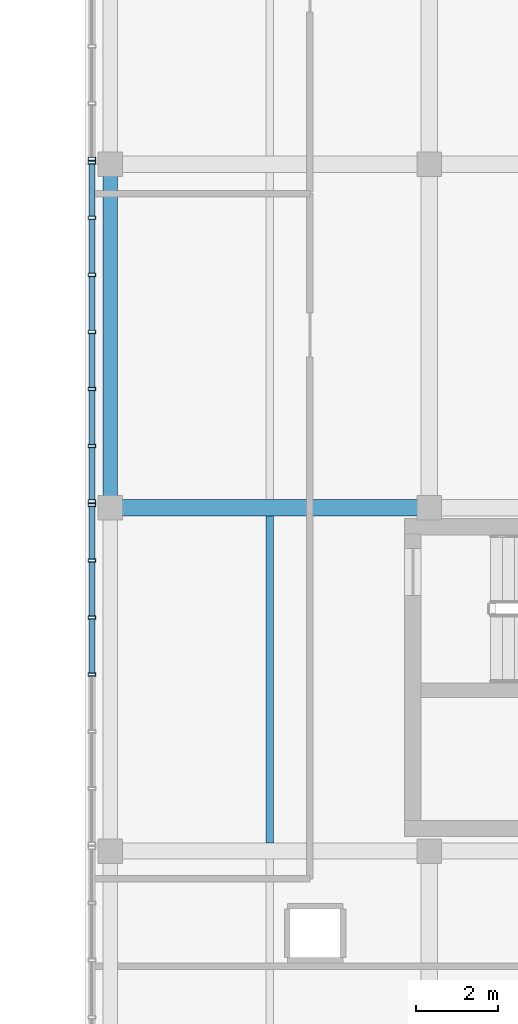
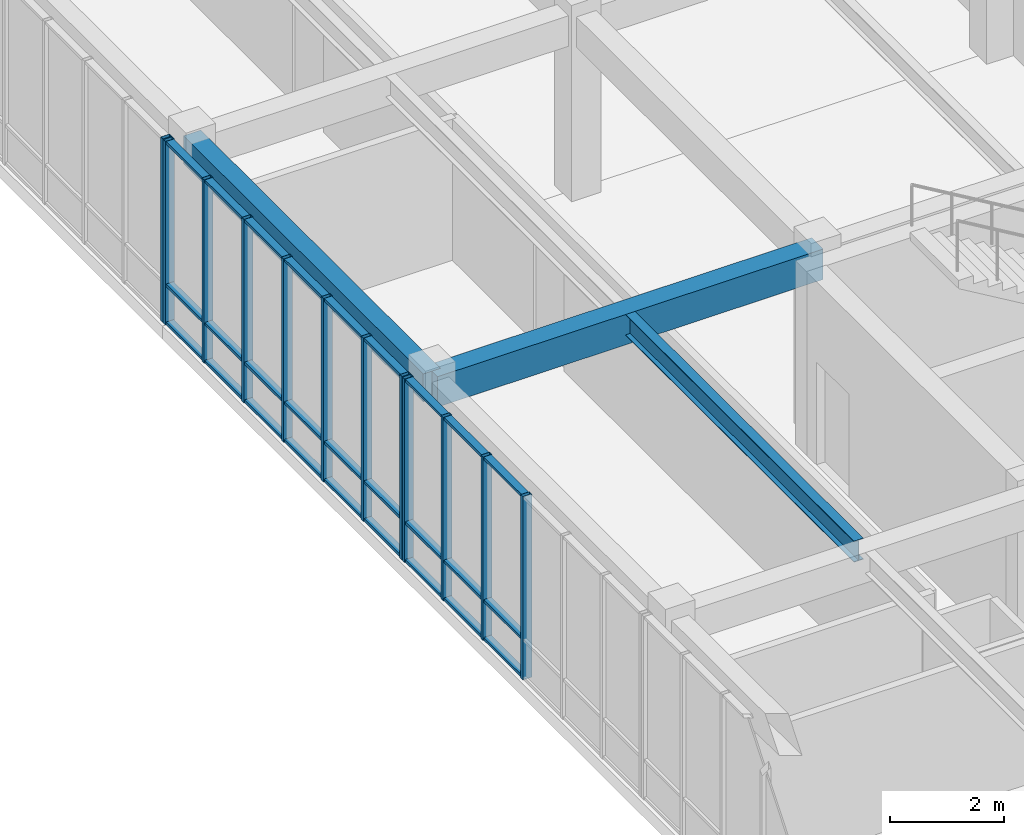
# One storey, part 29 of 123: 39 members, 3 beams, 3 elements without a shape of their own.
"""IFC4 building model written with IfcOpenShell, lengths in metres."""

from ifc_helpers import new_model, si_unit, direction, frame, origin, origin_2d, place, context, subcontext, project, spatial, rectangle, hollow_rectangle, i_section, extrude, material, layer, layer_set, material_profile, profile_set, type_object, element, aggregate, save


model = new_model("IFC4")

# Units and contexts
model_context = context("Model", 3, precision=1e-05, world=origin(), true_north=direction((0.0, 1.0)))
body_context = subcontext(model_context, "Body", "Model", "MODEL_VIEW")
ifc_project = project(units=[si_unit("LENGTHUNIT", "METRE"), si_unit("AREAUNIT", "SQUARE_METRE"), si_unit("VOLUMEUNIT", "CUBIC_METRE"), si_unit("PLANEANGLEUNIT", "RADIAN"), si_unit("MASSUNIT", "GRAM", prefix="KILO")], contexts=[model_context])

# Site, building, storey
site_placement = place(None, origin())
site = spatial("IfcSite", under=ifc_project, at=site_placement, CompositionType="ELEMENT")
building_placement = place(site_placement, origin())
building = spatial("IfcBuilding", under=site, at=building_placement, Name="Zayran Congress Hotel", CompositionType="ELEMENT")
storey_placement = place(building_placement, frame((0.0, 0.0, 15.0)))
storey = spatial("IfcBuildingStorey", under=building, at=storey_placement, Name="L03", CompositionType="ELEMENT", Elevation=15.0)

# Beams
ifc_material_1 = material(Name="Concrete C40/50", Category="concrete")
ifc_material_profile_1 = material_profile(ifc_material_1, rectangle(XDim=0.39990234375, YDim=0.64990234375, at=origin_2d()), Name="RC 400x650")
ifc_profile_set_1 = profile_set([ifc_material_profile_1], Name="Concrete C40/50")
beam_type_1 = type_object("IfcBeamType", Name="TP-BM-03", PredefinedType="BEAM", material=ifc_profile_set_1)
beam_1_placement = place(storey_placement, frame((109.800048828125, 59.199951171875, 3.594970703125), z_axis=(1.0, 0.0, 0.0), x_axis=(0.0, 1.0, 0.0)))
element("IfcBeam", 1, at=beam_1_placement, inside=storey, type_object=beam_type_1, Name="BM-V4-L03-1497", PredefinedType="BEAM", context=body_context, shape_type="SweptSolid", body=[
    extrude(rectangle(XDim=0.39990234375, YDim=0.64990234375, at=origin_2d()), origin(), (0.0, 0.0, 1.0), 7.800048828125),
])
ifc_material_profile_2 = material_profile(ifc_material_1, rectangle(XDim=0.35009765625, YDim=0.60009765625, at=origin_2d()), Name="RC 350x600")
ifc_profile_set_2 = profile_set([ifc_material_profile_2], Name="Concrete C40/50")
beam_type_2 = type_object("IfcBeamType", Name="TP-SP-01", PredefinedType="SPANDREL", material=ifc_profile_set_2)
beam_2_placement = place(storey_placement, frame((109.800048828125, 59.199951171875, 3.6201171875), z_axis=(0.0, 1.0, 0.0), x_axis=(-1.0, 0.0, 0.0)))
element("IfcBeam", 2, at=beam_2_placement, inside=storey, type_object=beam_type_2, Name="BM-V4-L03-1517", PredefinedType="SPANDREL", context=body_context, shape_type="SweptSolid", body=[
    extrude(rectangle(XDim=0.35009765625, YDim=0.60009765625, at=origin_2d()), origin(), (0.0, 0.0, 1.0), 8.400146484375),
])
ifc_material_2 = material(Name="Steel S355", Category="steel")
ifc_material_profile_3 = material_profile(ifc_material_2, i_section(OverallWidth=0.18994140625, OverallDepth=0.449951171875, WebThickness=0.009521484375, FlangeThickness=0.0146484375, at=origin_2d()), Name="IPE 450")
ifc_profile_set_3 = profile_set([ifc_material_profile_3], Name="Steel S355")
beam_type_3 = type_object("IfcBeamType", Name="TP-JS-02", PredefinedType="JOIST", material=ifc_profile_set_3)
beam_3_placement = place(storey_placement, frame((113.699951171875, 51.0, 3.695068359375), z_axis=(0.0, 1.0, 0.0), x_axis=(-1.0, 0.0, 0.0)))
element("IfcBeam", 3, at=beam_3_placement, inside=storey, type_object=beam_type_3, Name="JST-V4-L03-1542", PredefinedType="JOIST", context=body_context, shape_type="SweptSolid", body=[
    extrude(i_section(OverallWidth=0.18994140625, OverallDepth=0.449951171875, WebThickness=0.009521484375, FlangeThickness=0.0146484375, at=origin_2d()), origin(), (0.0, 0.0, 1.0), 8.0),
])

# Curtain wall, members
ifc_material_3 = material(Name="Anodised aluminium and low-E insulated glass", Category="aluminium")
ifc_layer_1 = layer(ifc_material_3, 0.179931640625)
ifc_layer_set_1 = layer_set([ifc_layer_1], Name="Anodised aluminium and low-E insulated glass")
curtain_wall_type_1 = type_object("IfcCurtainWallType", Name="CW-V4W-L03-CW-52-8368-3920", PredefinedType="USERDEFINED", material=ifc_layer_set_1)
curtain_wall_1_placement = place(storey_placement, origin())
curtain_wall_1 = element("IfcCurtainWall", 4, at=curtain_wall_1_placement, inside=storey, type_object=curtain_wall_type_1, Name="CW-V4W-L03-1", ObjectType="CURTAIN WALL", PredefinedType="USERDEFINED")
ifc_material_4 = material(Name="Anodised aluminium framing", Category="aluminium")
ifc_material_profile_4 = material_profile(ifc_material_4, hollow_rectangle(XDim=0.080078125, YDim=0.179931640625, WallThickness=0.0048828125, at=origin_2d()), Name="RHS 180x80x5")
ifc_profile_set_4 = profile_set([ifc_material_profile_4], Name="Anodised aluminium framing")
member_type_1 = type_object("IfcMemberType", Name="TP-CWM-01", PredefinedType="MULLION", material=ifc_profile_set_4)
member_1_placement = place(storey_placement, frame((109.35009765625, 59.261962890625, 0.0), z_axis=(0.0, 0.0, 1.0), x_axis=(0.0, 1.0, 0.0)))
member_1 = element("IfcMember", 5, at=member_1_placement, type_object=member_type_1, Name="CW-V4W-L03-1-M00", PredefinedType="MULLION", context=body_context, shape_type="SweptSolid", body=[
    extrude(hollow_rectangle(XDim=0.080078125, YDim=0.179931640625, WallThickness=0.0048828125, at=origin_2d()), origin(), (0.0, 0.0, 1.0), 3.919921875),
])
member_2_placement = place(storey_placement, frame((109.35009765625, 57.9072265625, 0.0), z_axis=(0.0, 0.0, 1.0), x_axis=(0.0, 1.0, 0.0)))
member_2 = element("IfcMember", 6, at=member_2_placement, type_object=member_type_1, Name="CW-V4W-L03-1-M01", PredefinedType="MULLION", context=body_context, shape_type="SweptSolid", body=[
    extrude(hollow_rectangle(XDim=0.080078125, YDim=0.179931640625, WallThickness=0.0048828125, at=origin_2d()), origin(), (0.0, 0.0, 1.0), 3.919921875),
])
member_3_placement = place(storey_placement, frame((109.35009765625, 56.5126953125, 0.0), z_axis=(0.0, 0.0, 1.0), x_axis=(0.0, 1.0, 0.0)))
member_3 = element("IfcMember", 7, at=member_3_placement, type_object=member_type_1, Name="CW-V4W-L03-1-M02", PredefinedType="MULLION", context=body_context, shape_type="SweptSolid", body=[
    extrude(hollow_rectangle(XDim=0.080078125, YDim=0.179931640625, WallThickness=0.0048828125, at=origin_2d()), origin(), (0.0, 0.0, 1.0), 3.919921875),
])
member_4_placement = place(storey_placement, frame((109.35009765625, 55.117919921875, 0.0), z_axis=(0.0, 0.0, 1.0), x_axis=(0.0, 1.0, 0.0)))
member_4 = element("IfcMember", 8, at=member_4_placement, type_object=member_type_1, Name="CW-V4W-L03-1-M03", PredefinedType="MULLION", context=body_context, shape_type="SweptSolid", body=[
    extrude(hollow_rectangle(XDim=0.080078125, YDim=0.179931640625, WallThickness=0.0048828125, at=origin_2d()), origin(), (0.0, 0.0, 1.0), 3.919921875),
])

ifc_layer_2 = layer(ifc_material_3, 0.179931640625)
ifc_layer_set_2 = layer_set([ifc_layer_2], Name="Anodised aluminium and low-E insulated glass")
curtain_wall_type_2 = type_object("IfcCurtainWallType", Name="CW-V4W-L03-CW-53-8369-3920", PredefinedType="USERDEFINED", material=ifc_layer_set_2)
curtain_wall_2_placement = place(storey_placement, origin())
curtain_wall_2 = element("IfcCurtainWall", 9, at=curtain_wall_2_placement, inside=storey, type_object=curtain_wall_type_2, Name="CW-V4W-L03-2", ObjectType="CURTAIN WALL", PredefinedType="USERDEFINED")
member_5_placement = place(storey_placement, frame((109.35009765625, 67.64111328125, 0.0), z_axis=(0.0, 0.0, 1.0), x_axis=(0.0, 1.0, 0.0)))
member_5 = element("IfcMember", 10, at=member_5_placement, type_object=member_type_1, Name="CW-V4W-L03-2-M00", PredefinedType="MULLION", context=body_context, shape_type="SweptSolid", body=[
    extrude(hollow_rectangle(XDim=0.080078125, YDim=0.179931640625, WallThickness=0.0048828125, at=origin_2d()), origin(), (0.0, 0.0, 1.0), 3.919921875),
])
member_6_placement = place(storey_placement, frame((109.35009765625, 66.2861328125, 0.0), z_axis=(0.0, 0.0, 1.0), x_axis=(0.0, 1.0, 0.0)))
member_6 = element("IfcMember", 11, at=member_6_placement, type_object=member_type_1, Name="CW-V4W-L03-2-M01", PredefinedType="MULLION", context=body_context, shape_type="SweptSolid", body=[
    extrude(hollow_rectangle(XDim=0.080078125, YDim=0.179931640625, WallThickness=0.0048828125, at=origin_2d()), origin(), (0.0, 0.0, 1.0), 3.919921875),
])
member_7_placement = place(storey_placement, frame((109.35009765625, 64.891357421875, 0.0), z_axis=(0.0, 0.0, 1.0), x_axis=(0.0, 1.0, 0.0)))
member_7 = element("IfcMember", 12, at=member_7_placement, type_object=member_type_1, Name="CW-V4W-L03-2-M02", PredefinedType="MULLION", context=body_context, shape_type="SweptSolid", body=[
    extrude(hollow_rectangle(XDim=0.080078125, YDim=0.179931640625, WallThickness=0.0048828125, at=origin_2d()), origin(), (0.0, 0.0, 1.0), 3.919921875),
])
member_8_placement = place(storey_placement, frame((109.35009765625, 63.49658203125, 0.0), z_axis=(0.0, 0.0, 1.0), x_axis=(0.0, 1.0, 0.0)))
member_8 = element("IfcMember", 13, at=member_8_placement, type_object=member_type_1, Name="CW-V4W-L03-2-M03", PredefinedType="MULLION", context=body_context, shape_type="SweptSolid", body=[
    extrude(hollow_rectangle(XDim=0.080078125, YDim=0.179931640625, WallThickness=0.0048828125, at=origin_2d()), origin(), (0.0, 0.0, 1.0), 3.919921875),
])
member_9_placement = place(storey_placement, frame((109.35009765625, 62.101806640625, 0.0), z_axis=(0.0, 0.0, 1.0), x_axis=(0.0, 1.0, 0.0)))
member_9 = element("IfcMember", 14, at=member_9_placement, type_object=member_type_1, Name="CW-V4W-L03-2-M04", PredefinedType="MULLION", context=body_context, shape_type="SweptSolid", body=[
    extrude(hollow_rectangle(XDim=0.080078125, YDim=0.179931640625, WallThickness=0.0048828125, at=origin_2d()), origin(), (0.0, 0.0, 1.0), 3.919921875),
])
member_10_placement = place(storey_placement, frame((109.35009765625, 60.706787109375, 0.0), z_axis=(0.0, 0.0, 1.0), x_axis=(0.0, 1.0, 0.0)))
member_10 = element("IfcMember", 15, at=member_10_placement, type_object=member_type_1, Name="CW-V4W-L03-2-M05", PredefinedType="MULLION", context=body_context, shape_type="SweptSolid", body=[
    extrude(hollow_rectangle(XDim=0.080078125, YDim=0.179931640625, WallThickness=0.0048828125, at=origin_2d()), origin(), (0.0, 0.0, 1.0), 3.919921875),
])
member_11_placement = place(storey_placement, frame((109.35009765625, 59.35205078125, 0.0), z_axis=(0.0, 0.0, 1.0), x_axis=(0.0, 1.0, 0.0)))
member_11 = element("IfcMember", 16, at=member_11_placement, type_object=member_type_1, Name="CW-V4W-L03-2-M06", PredefinedType="MULLION", context=body_context, shape_type="SweptSolid", body=[
    extrude(hollow_rectangle(XDim=0.080078125, YDim=0.179931640625, WallThickness=0.0048828125, at=origin_2d()), origin(), (0.0, 0.0, 1.0), 3.919921875),
])

# Curtain wall, member
ifc_layer_3 = layer(ifc_material_3, 0.179931640625)
ifc_layer_set_3 = layer_set([ifc_layer_3], Name="Anodised aluminium and low-E insulated glass")
curtain_wall_type_3 = type_object("IfcCurtainWallType", Name="CW-V4W-L03-CW-51-8368-3920", PredefinedType="USERDEFINED", material=ifc_layer_set_3)
curtain_wall_3_placement = place(storey_placement, origin())
curtain_wall_3 = element("IfcCurtainWall", 17, at=curtain_wall_3_placement, inside=storey, type_object=curtain_wall_type_3, Name="CW-V4W-L03-3", ObjectType="CURTAIN WALL", PredefinedType="USERDEFINED")
member_12_placement = place(storey_placement, frame((109.35009765625, 67.73095703125, 0.0), z_axis=(0.0, 0.0, 1.0), x_axis=(0.0, 1.0, 0.0)))
member_12 = element("IfcMember", 18, at=member_12_placement, type_object=member_type_1, Name="CW-V4W-L03-3-M06", PredefinedType="MULLION", context=body_context, shape_type="SweptSolid", body=[
    extrude(hollow_rectangle(XDim=0.080078125, YDim=0.179931640625, WallThickness=0.0048828125, at=origin_2d()), origin(), (0.0, 0.0, 1.0), 3.919921875),
])
aggregate(curtain_wall_3, [member_12])

# Member
ifc_material_profile_5 = material_profile(ifc_material_4, hollow_rectangle(XDim=0.06005859375, YDim=0.14990234375, WallThickness=0.00390625, at=origin_2d()), Name="RHS 150x60x4")
ifc_profile_set_5 = profile_set([ifc_material_profile_5], Name="Anodised aluminium framing")
member_type_2 = type_object("IfcMemberType", Name="TP-CWT-01", PredefinedType="USERDEFINED", material=ifc_profile_set_5)
member_13_placement = place(storey_placement, frame((109.35009765625, 59.221923828125, 0.030029296875), z_axis=(0.0, -1.0, 0.0), x_axis=(0.0, 0.0, 1.0)))
member_13 = element("IfcMember", 19, at=member_13_placement, type_object=member_type_2, Name="CW-V4W-L03-1-T00-0", ObjectType="TRANSOM", PredefinedType="USERDEFINED", context=body_context, shape_type="SweptSolid", body=[
    extrude(hollow_rectangle(XDim=0.06005859375, YDim=0.14990234375, WallThickness=0.00390625, at=origin_2d()), origin(), (0.0, 0.0, 1.0), 1.274658203125),
])

member_14_placement = place(storey_placement, frame((109.35009765625, 59.221923828125, 0.840087890625), z_axis=(0.0, -1.0, 0.0), x_axis=(0.0, 0.0, 1.0)))
member_14 = element("IfcMember", 20, at=member_14_placement, type_object=member_type_2, Name="CW-V4W-L03-1-T00-1", ObjectType="TRANSOM", PredefinedType="USERDEFINED", context=body_context, shape_type="SweptSolid", body=[
    extrude(hollow_rectangle(XDim=0.06005859375, YDim=0.14990234375, WallThickness=0.00390625, at=origin_2d()), origin(), (0.0, 0.0, 1.0), 1.274658203125),
])

member_15_placement = place(storey_placement, frame((109.35009765625, 59.221923828125, 3.889892578125), z_axis=(0.0, -1.0, 0.0), x_axis=(0.0, 0.0, 1.0)))
member_15 = element("IfcMember", 21, at=member_15_placement, type_object=member_type_2, Name="CW-V4W-L03-1-T00-2", ObjectType="TRANSOM", PredefinedType="USERDEFINED", context=body_context, shape_type="SweptSolid", body=[
    extrude(hollow_rectangle(XDim=0.06005859375, YDim=0.14990234375, WallThickness=0.00390625, at=origin_2d()), origin(), (0.0, 0.0, 1.0), 1.274658203125),
])

member_16_placement = place(storey_placement, frame((109.35009765625, 57.8671875, 0.030029296875), z_axis=(0.0, -1.0, 0.0), x_axis=(0.0, 0.0, 1.0)))
member_16 = element("IfcMember", 22, at=member_16_placement, type_object=member_type_2, Name="CW-V4W-L03-1-T01-0", ObjectType="TRANSOM", PredefinedType="USERDEFINED", context=body_context, shape_type="SweptSolid", body=[
    extrude(hollow_rectangle(XDim=0.06005859375, YDim=0.14990234375, WallThickness=0.00390625, at=origin_2d()), origin(), (0.0, 0.0, 1.0), 1.314453125),
])

member_17_placement = place(storey_placement, frame((109.35009765625, 57.8671875, 0.840087890625), z_axis=(0.0, -1.0, 0.0), x_axis=(0.0, 0.0, 1.0)))
member_17 = element("IfcMember", 23, at=member_17_placement, type_object=member_type_2, Name="CW-V4W-L03-1-T01-1", ObjectType="TRANSOM", PredefinedType="USERDEFINED", context=body_context, shape_type="SweptSolid", body=[
    extrude(hollow_rectangle(XDim=0.06005859375, YDim=0.14990234375, WallThickness=0.00390625, at=origin_2d()), origin(), (0.0, 0.0, 1.0), 1.314453125),
])

member_18_placement = place(storey_placement, frame((109.35009765625, 57.8671875, 3.889892578125), z_axis=(0.0, -1.0, 0.0), x_axis=(0.0, 0.0, 1.0)))
member_18 = element("IfcMember", 24, at=member_18_placement, type_object=member_type_2, Name="CW-V4W-L03-1-T01-2", ObjectType="TRANSOM", PredefinedType="USERDEFINED", context=body_context, shape_type="SweptSolid", body=[
    extrude(hollow_rectangle(XDim=0.06005859375, YDim=0.14990234375, WallThickness=0.00390625, at=origin_2d()), origin(), (0.0, 0.0, 1.0), 1.314453125),
])

member_19_placement = place(storey_placement, frame((109.35009765625, 56.47265625, 0.030029296875), z_axis=(0.0, -1.0, 0.0), x_axis=(0.0, 0.0, 1.0)))
member_19 = element("IfcMember", 25, at=member_19_placement, type_object=member_type_2, Name="CW-V4W-L03-1-T02-0", ObjectType="TRANSOM", PredefinedType="USERDEFINED", context=body_context, shape_type="SweptSolid", body=[
    extrude(hollow_rectangle(XDim=0.06005859375, YDim=0.14990234375, WallThickness=0.00390625, at=origin_2d()), origin(), (0.0, 0.0, 1.0), 1.314697265625),
])

member_20_placement = place(storey_placement, frame((109.35009765625, 56.47265625, 0.840087890625), z_axis=(0.0, -1.0, 0.0), x_axis=(0.0, 0.0, 1.0)))
member_20 = element("IfcMember", 26, at=member_20_placement, type_object=member_type_2, Name="CW-V4W-L03-1-T02-1", ObjectType="TRANSOM", PredefinedType="USERDEFINED", context=body_context, shape_type="SweptSolid", body=[
    extrude(hollow_rectangle(XDim=0.06005859375, YDim=0.14990234375, WallThickness=0.00390625, at=origin_2d()), origin(), (0.0, 0.0, 1.0), 1.314697265625),
])

member_21_placement = place(storey_placement, frame((109.35009765625, 56.47265625, 3.889892578125), z_axis=(0.0, -1.0, 0.0), x_axis=(0.0, 0.0, 1.0)))
member_21 = element("IfcMember", 27, at=member_21_placement, type_object=member_type_2, Name="CW-V4W-L03-1-T02-2", ObjectType="TRANSOM", PredefinedType="USERDEFINED", context=body_context, shape_type="SweptSolid", body=[
    extrude(hollow_rectangle(XDim=0.06005859375, YDim=0.14990234375, WallThickness=0.00390625, at=origin_2d()), origin(), (0.0, 0.0, 1.0), 1.314697265625),
])

aggregate(curtain_wall_1, [member_1, member_2, member_3, member_4, member_13, member_14, member_15, member_16, member_17, member_18, member_19, member_20, member_21])

member_22_placement = place(storey_placement, frame((109.35009765625, 67.60107421875, 0.030029296875), z_axis=(0.0, -1.0, 0.0), x_axis=(0.0, 0.0, 1.0)))
member_22 = element("IfcMember", 28, at=member_22_placement, type_object=member_type_2, Name="CW-V4W-L03-2-T00-0", ObjectType="TRANSOM", PredefinedType="USERDEFINED", context=body_context, shape_type="SweptSolid", body=[
    extrude(hollow_rectangle(XDim=0.06005859375, YDim=0.14990234375, WallThickness=0.00390625, at=origin_2d()), origin(), (0.0, 0.0, 1.0), 1.27490234375),
])

member_23_placement = place(storey_placement, frame((109.35009765625, 67.60107421875, 0.840087890625), z_axis=(0.0, -1.0, 0.0), x_axis=(0.0, 0.0, 1.0)))
member_23 = element("IfcMember", 29, at=member_23_placement, type_object=member_type_2, Name="CW-V4W-L03-2-T00-1", ObjectType="TRANSOM", PredefinedType="USERDEFINED", context=body_context, shape_type="SweptSolid", body=[
    extrude(hollow_rectangle(XDim=0.06005859375, YDim=0.14990234375, WallThickness=0.00390625, at=origin_2d()), origin(), (0.0, 0.0, 1.0), 1.27490234375),
])

member_24_placement = place(storey_placement, frame((109.35009765625, 67.60107421875, 3.889892578125), z_axis=(0.0, -1.0, 0.0), x_axis=(0.0, 0.0, 1.0)))
member_24 = element("IfcMember", 30, at=member_24_placement, type_object=member_type_2, Name="CW-V4W-L03-2-T00-2", ObjectType="TRANSOM", PredefinedType="USERDEFINED", context=body_context, shape_type="SweptSolid", body=[
    extrude(hollow_rectangle(XDim=0.06005859375, YDim=0.14990234375, WallThickness=0.00390625, at=origin_2d()), origin(), (0.0, 0.0, 1.0), 1.27490234375),
])

member_25_placement = place(storey_placement, frame((109.35009765625, 66.24609375, 0.030029296875), z_axis=(0.0, -1.0, 0.0), x_axis=(0.0, 0.0, 1.0)))
member_25 = element("IfcMember", 31, at=member_25_placement, type_object=member_type_2, Name="CW-V4W-L03-2-T01-0", ObjectType="TRANSOM", PredefinedType="USERDEFINED", context=body_context, shape_type="SweptSolid", body=[
    extrude(hollow_rectangle(XDim=0.06005859375, YDim=0.14990234375, WallThickness=0.00390625, at=origin_2d()), origin(), (0.0, 0.0, 1.0), 1.314697265625),
])

member_26_placement = place(storey_placement, frame((109.35009765625, 66.24609375, 0.840087890625), z_axis=(0.0, -1.0, 0.0), x_axis=(0.0, 0.0, 1.0)))
member_26 = element("IfcMember", 32, at=member_26_placement, type_object=member_type_2, Name="CW-V4W-L03-2-T01-1", ObjectType="TRANSOM", PredefinedType="USERDEFINED", context=body_context, shape_type="SweptSolid", body=[
    extrude(hollow_rectangle(XDim=0.06005859375, YDim=0.14990234375, WallThickness=0.00390625, at=origin_2d()), origin(), (0.0, 0.0, 1.0), 1.314697265625),
])

member_27_placement = place(storey_placement, frame((109.35009765625, 66.24609375, 3.889892578125), z_axis=(0.0, -1.0, 0.0), x_axis=(0.0, 0.0, 1.0)))
member_27 = element("IfcMember", 33, at=member_27_placement, type_object=member_type_2, Name="CW-V4W-L03-2-T01-2", ObjectType="TRANSOM", PredefinedType="USERDEFINED", context=body_context, shape_type="SweptSolid", body=[
    extrude(hollow_rectangle(XDim=0.06005859375, YDim=0.14990234375, WallThickness=0.00390625, at=origin_2d()), origin(), (0.0, 0.0, 1.0), 1.314697265625),
])

member_28_placement = place(storey_placement, frame((109.35009765625, 64.851318359375, 0.030029296875), z_axis=(0.0, -1.0, 0.0), x_axis=(0.0, 0.0, 1.0)))
member_28 = element("IfcMember", 34, at=member_28_placement, type_object=member_type_2, Name="CW-V4W-L03-2-T02-0", ObjectType="TRANSOM", PredefinedType="USERDEFINED", context=body_context, shape_type="SweptSolid", body=[
    extrude(hollow_rectangle(XDim=0.06005859375, YDim=0.14990234375, WallThickness=0.00390625, at=origin_2d()), origin(), (0.0, 0.0, 1.0), 1.314697265625),
])

member_29_placement = place(storey_placement, frame((109.35009765625, 64.851318359375, 0.840087890625), z_axis=(0.0, -1.0, 0.0), x_axis=(0.0, 0.0, 1.0)))
member_29 = element("IfcMember", 35, at=member_29_placement, type_object=member_type_2, Name="CW-V4W-L03-2-T02-1", ObjectType="TRANSOM", PredefinedType="USERDEFINED", context=body_context, shape_type="SweptSolid", body=[
    extrude(hollow_rectangle(XDim=0.06005859375, YDim=0.14990234375, WallThickness=0.00390625, at=origin_2d()), origin(), (0.0, 0.0, 1.0), 1.314697265625),
])

member_30_placement = place(storey_placement, frame((109.35009765625, 64.851318359375, 3.889892578125), z_axis=(0.0, -1.0, 0.0), x_axis=(0.0, 0.0, 1.0)))
member_30 = element("IfcMember", 36, at=member_30_placement, type_object=member_type_2, Name="CW-V4W-L03-2-T02-2", ObjectType="TRANSOM", PredefinedType="USERDEFINED", context=body_context, shape_type="SweptSolid", body=[
    extrude(hollow_rectangle(XDim=0.06005859375, YDim=0.14990234375, WallThickness=0.00390625, at=origin_2d()), origin(), (0.0, 0.0, 1.0), 1.314697265625),
])

member_31_placement = place(storey_placement, frame((109.35009765625, 63.45654296875, 0.030029296875), z_axis=(0.0, -1.0, 0.0), x_axis=(0.0, 0.0, 1.0)))
member_31 = element("IfcMember", 37, at=member_31_placement, type_object=member_type_2, Name="CW-V4W-L03-2-T03-0", ObjectType="TRANSOM", PredefinedType="USERDEFINED", context=body_context, shape_type="SweptSolid", body=[
    extrude(hollow_rectangle(XDim=0.06005859375, YDim=0.14990234375, WallThickness=0.00390625, at=origin_2d()), origin(), (0.0, 0.0, 1.0), 1.31494140625),
])

member_32_placement = place(storey_placement, frame((109.35009765625, 63.45654296875, 0.840087890625), z_axis=(0.0, -1.0, 0.0), x_axis=(0.0, 0.0, 1.0)))
member_32 = element("IfcMember", 38, at=member_32_placement, type_object=member_type_2, Name="CW-V4W-L03-2-T03-1", ObjectType="TRANSOM", PredefinedType="USERDEFINED", context=body_context, shape_type="SweptSolid", body=[
    extrude(hollow_rectangle(XDim=0.06005859375, YDim=0.14990234375, WallThickness=0.00390625, at=origin_2d()), origin(), (0.0, 0.0, 1.0), 1.31494140625),
])

member_33_placement = place(storey_placement, frame((109.35009765625, 63.45654296875, 3.889892578125), z_axis=(0.0, -1.0, 0.0), x_axis=(0.0, 0.0, 1.0)))
member_33 = element("IfcMember", 39, at=member_33_placement, type_object=member_type_2, Name="CW-V4W-L03-2-T03-2", ObjectType="TRANSOM", PredefinedType="USERDEFINED", context=body_context, shape_type="SweptSolid", body=[
    extrude(hollow_rectangle(XDim=0.06005859375, YDim=0.14990234375, WallThickness=0.00390625, at=origin_2d()), origin(), (0.0, 0.0, 1.0), 1.31494140625),
])

member_34_placement = place(storey_placement, frame((109.35009765625, 62.061767578125, 0.030029296875), z_axis=(0.0, -1.0, 0.0), x_axis=(0.0, 0.0, 1.0)))
member_34 = element("IfcMember", 40, at=member_34_placement, type_object=member_type_2, Name="CW-V4W-L03-2-T04-0", ObjectType="TRANSOM", PredefinedType="USERDEFINED", context=body_context, shape_type="SweptSolid", body=[
    extrude(hollow_rectangle(XDim=0.06005859375, YDim=0.14990234375, WallThickness=0.00390625, at=origin_2d()), origin(), (0.0, 0.0, 1.0), 1.31494140625),
])

member_35_placement = place(storey_placement, frame((109.35009765625, 62.061767578125, 0.840087890625), z_axis=(0.0, -1.0, 0.0), x_axis=(0.0, 0.0, 1.0)))
member_35 = element("IfcMember", 41, at=member_35_placement, type_object=member_type_2, Name="CW-V4W-L03-2-T04-1", ObjectType="TRANSOM", PredefinedType="USERDEFINED", context=body_context, shape_type="SweptSolid", body=[
    extrude(hollow_rectangle(XDim=0.06005859375, YDim=0.14990234375, WallThickness=0.00390625, at=origin_2d()), origin(), (0.0, 0.0, 1.0), 1.31494140625),
])

member_36_placement = place(storey_placement, frame((109.35009765625, 62.061767578125, 3.889892578125), z_axis=(0.0, -1.0, 0.0), x_axis=(0.0, 0.0, 1.0)))
member_36 = element("IfcMember", 42, at=member_36_placement, type_object=member_type_2, Name="CW-V4W-L03-2-T04-2", ObjectType="TRANSOM", PredefinedType="USERDEFINED", context=body_context, shape_type="SweptSolid", body=[
    extrude(hollow_rectangle(XDim=0.06005859375, YDim=0.14990234375, WallThickness=0.00390625, at=origin_2d()), origin(), (0.0, 0.0, 1.0), 1.31494140625),
])

member_37_placement = place(storey_placement, frame((109.35009765625, 60.666748046875, 0.030029296875), z_axis=(0.0, -1.0, 0.0), x_axis=(0.0, 0.0, 1.0)))
member_37 = element("IfcMember", 43, at=member_37_placement, type_object=member_type_2, Name="CW-V4W-L03-2-T05-0", ObjectType="TRANSOM", PredefinedType="USERDEFINED", context=body_context, shape_type="SweptSolid", body=[
    extrude(hollow_rectangle(XDim=0.06005859375, YDim=0.14990234375, WallThickness=0.00390625, at=origin_2d()), origin(), (0.0, 0.0, 1.0), 1.274658203125),
])

member_38_placement = place(storey_placement, frame((109.35009765625, 60.666748046875, 0.840087890625), z_axis=(0.0, -1.0, 0.0), x_axis=(0.0, 0.0, 1.0)))
member_38 = element("IfcMember", 44, at=member_38_placement, type_object=member_type_2, Name="CW-V4W-L03-2-T05-1", ObjectType="TRANSOM", PredefinedType="USERDEFINED", context=body_context, shape_type="SweptSolid", body=[
    extrude(hollow_rectangle(XDim=0.06005859375, YDim=0.14990234375, WallThickness=0.00390625, at=origin_2d()), origin(), (0.0, 0.0, 1.0), 1.274658203125),
])

member_39_placement = place(storey_placement, frame((109.35009765625, 60.666748046875, 3.889892578125), z_axis=(0.0, -1.0, 0.0), x_axis=(0.0, 0.0, 1.0)))
member_39 = element("IfcMember", 45, at=member_39_placement, type_object=member_type_2, Name="CW-V4W-L03-2-T05-2", ObjectType="TRANSOM", PredefinedType="USERDEFINED", context=body_context, shape_type="SweptSolid", body=[
    extrude(hollow_rectangle(XDim=0.06005859375, YDim=0.14990234375, WallThickness=0.00390625, at=origin_2d()), origin(), (0.0, 0.0, 1.0), 1.274658203125),
])

aggregate(curtain_wall_2, [member_5, member_6, member_7, member_8, member_9, member_10, member_11, member_22, member_23, member_24, member_25, member_26, member_27, member_28, member_29, member_30, member_31, member_32, member_33, member_34, member_35, member_36, member_37, member_38, member_39])

save(model, "model.ifc")
